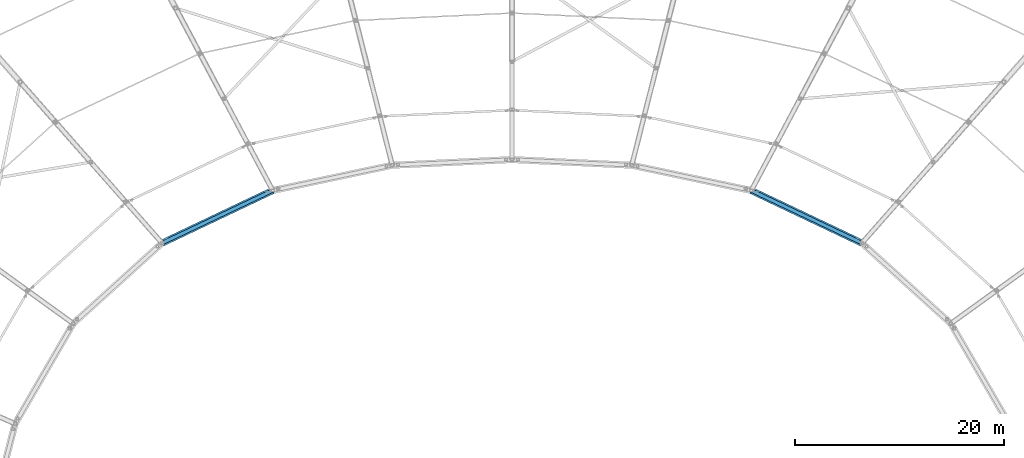
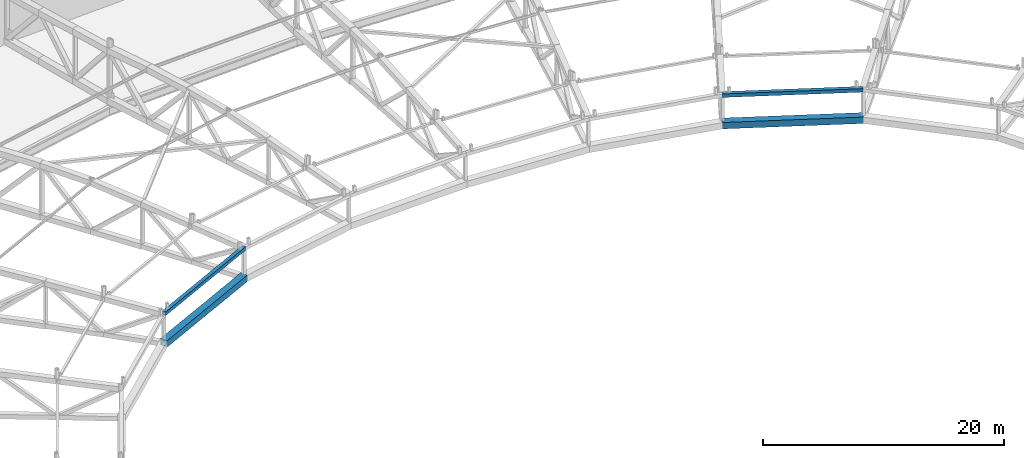
# One storey, part 46 of 162: 4 members.
"""IFC4 building model written with IfcOpenShell, lengths in metres."""

from ifc_helpers import new_model, si_unit, direction, frame, origin, origin_2d, place, context, subcontext, project, spatial, hollow_rectangle, extrude, material, material_profile, profile_set, type_object, element, save


model = new_model("IFC4")

# Units and contexts
model_context = context("Model", 3, precision=1e-05, world=origin(), true_north=direction((0.0, 1.0)))
body_context = subcontext(model_context, "Body", "Model", "MODEL_VIEW")
ifc_project = project(units=[si_unit("LENGTHUNIT", "METRE"), si_unit("AREAUNIT", "SQUARE_METRE"), si_unit("VOLUMEUNIT", "CUBIC_METRE"), si_unit("PLANEANGLEUNIT", "RADIAN"), si_unit("MASSUNIT", "GRAM", prefix="KILO")], contexts=[model_context])

# Site, building, storey
site_placement = place(None, origin())
site = spatial("IfcSite", under=ifc_project, at=site_placement, CompositionType="ELEMENT")
building_placement = place(site_placement, origin())
building = spatial("IfcBuilding", under=site, at=building_placement, Name="Kazemori Nagisa Stadium", CompositionType="ELEMENT")
storey_placement = place(building_placement, frame((0.0, 0.0, 36.719970703125)))
storey = spatial("IfcBuildingStorey", under=building, at=storey_placement, Name="RF", CompositionType="ELEMENT", Elevation=36.719970703125)

# Members
ifc_material = material(Name="Steel STKR490", Category="steel")
ifc_material_profile_1 = material_profile(ifc_material, hollow_rectangle(XDim=0.35009765625, YDim=0.35009765625, WallThickness=0.01611328125, at=origin_2d()), Name="SHS-350x350x16")
ifc_profile_set_1 = profile_set([ifc_material_profile_1], Name="Steel STKR490")
member_type_1 = type_object("IfcMemberType", Name="Member_TC-SHS350", PredefinedType="CHORD", material=ifc_profile_set_1)
for number, where, z_axis, x_axis, name in (
    (1, (156.489990234375, 140.0166015625, 4.60595703125), (-0.90317547141, 0.429161397744, 0.009724326674), (-0.429181690477, -0.903218177717, 0.0), "Roof tension ring beam upper TR-05"),
    (2, (100.099365234375, 145.04833984375, 5.239990234375), (-0.90317547141, -0.429161397744, 0.009724326674), (0.429181690477, -0.903218177717, 0.0), "Roof tension ring beam upper TR-10"),
):
    element("IfcMember", number, at=place(storey_placement, frame(where, z_axis=z_axis, x_axis=x_axis)), inside=storey, type_object=member_type_1, Name=name, PredefinedType="CHORD", context=body_context, shape_type="SweptSolid", body=[
        extrude(hollow_rectangle(XDim=0.35009765625, YDim=0.35009765625, WallThickness=0.01611328125, at=origin_2d()), origin(), (0.0, 0.0, 1.0), 11.724609375),
    ])
ifc_material_profile_2 = material_profile(ifc_material, hollow_rectangle(XDim=0.64990234375, YDim=0.64990234375, WallThickness=0.02490234375, at=origin_2d()), Name="SHS-650x650x25")
ifc_profile_set_2 = profile_set([ifc_material_profile_2], Name="Steel STKR490")
member_type_2 = type_object("IfcMemberType", Name="Member_TC-SHS650", PredefinedType="CHORD", material=ifc_profile_set_2)
for number, where, z_axis, x_axis, name in (
    (3, (156.489990234375, 140.0166015625, 1.68701171875), (-0.903182640565, 0.429164804308, 0.008870655344), (-0.429181690477, -0.903218177717, 0.0), "Roof tension ring beam lower TR-05"),
    (4, (100.099365234375, 145.04833984375, 2.26904296875), (-0.903182640565, -0.429164804308, 0.008870655344), (0.429181690477, -0.903218177717, 0.0), "Roof tension ring beam lower TR-10"),
):
    element("IfcMember", number, at=place(storey_placement, frame(where, z_axis=z_axis, x_axis=x_axis)), inside=storey, type_object=member_type_2, Name=name, PredefinedType="CHORD", context=body_context, shape_type="SweptSolid", body=[
        extrude(hollow_rectangle(XDim=0.64990234375, YDim=0.64990234375, WallThickness=0.02490234375, at=origin_2d()), origin(), (0.0, 0.0, 1.0), 11.724609375),
    ])

save(model, "model.ifc")
